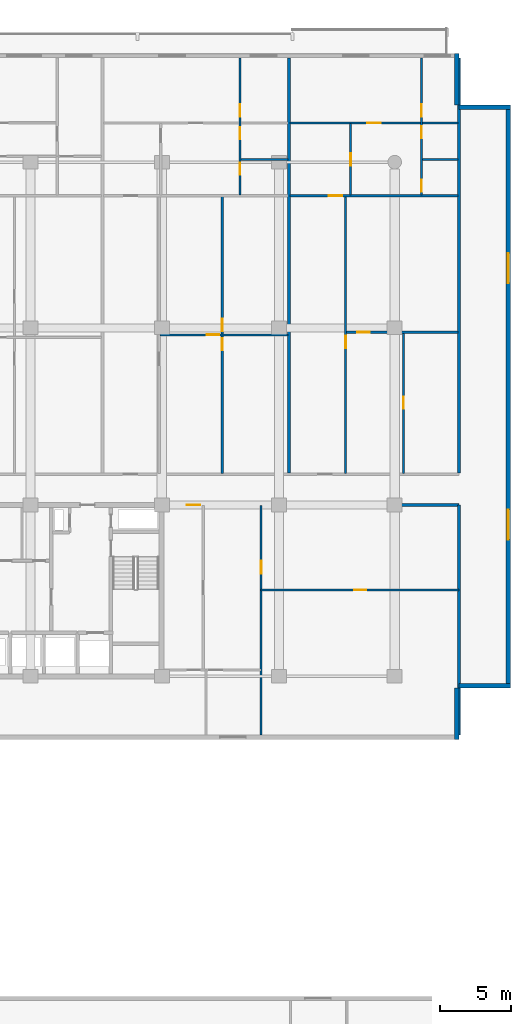
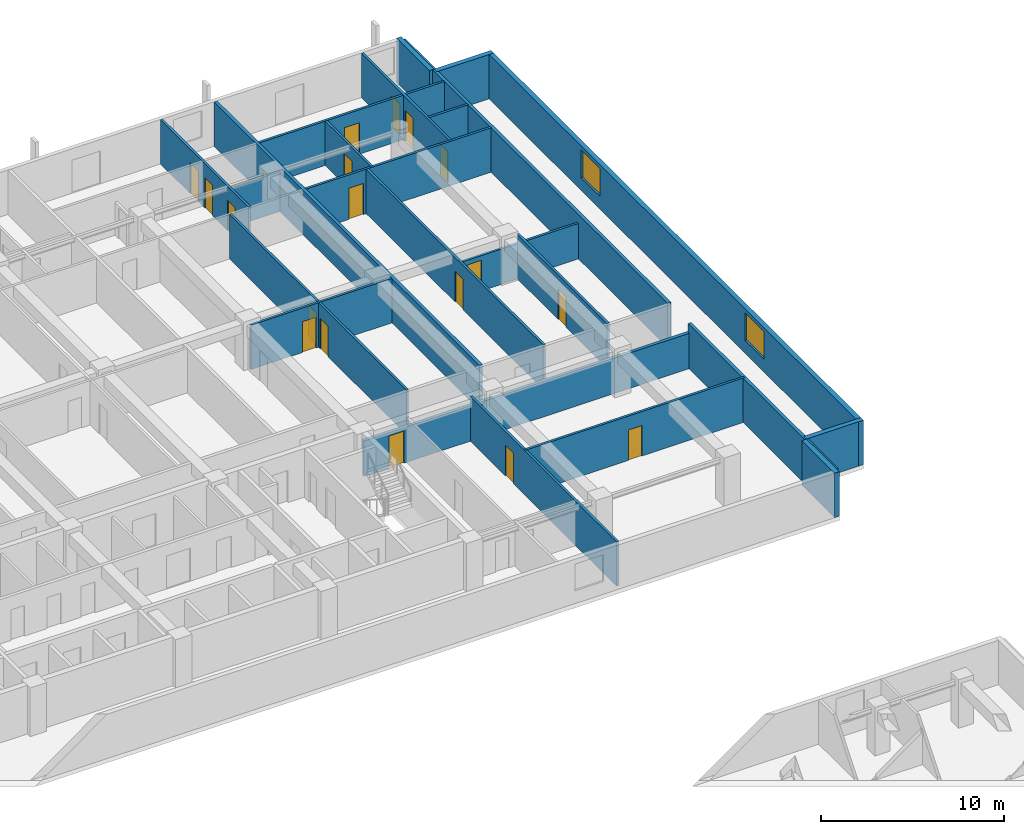
# One storey, part 17 of 23: 23 walls, 18 doors, 2 windows, 20 openings.
"""IFC4 building model written with IfcOpenShell, lengths in metres."""

from ifc_helpers import new_model, si_unit, direction, frame, frame_2d, origin, place, context, subcontext, project, spatial, rectangle, extrude, material, layer, layer_set, type_object, element, fill, save


model = new_model("IFC4")

# Units and contexts
model_context = context("Model", 3, precision=1e-05, world=origin(), true_north=direction((0.0, 1.0)))
body_context = subcontext(model_context, "Body", "Model", "MODEL_VIEW")
ifc_project = project(units=[si_unit("LENGTHUNIT", "METRE"), si_unit("AREAUNIT", "SQUARE_METRE"), si_unit("VOLUMEUNIT", "CUBIC_METRE"), si_unit("PLANEANGLEUNIT", "RADIAN"), si_unit("MASSUNIT", "GRAM", prefix="KILO")], contexts=[model_context])

# Site, building, storey
site_placement = place(None, origin())
site = spatial("IfcSite", under=ifc_project, at=site_placement, CompositionType="ELEMENT")
building_placement = place(site_placement, origin())
building = spatial("IfcBuilding", under=site, at=building_placement, Name="Korimba Cascade Residences", CompositionType="ELEMENT")
storey_placement = place(building_placement, frame((0.0, 0.0, 69.5)))
storey = spatial("IfcBuildingStorey", under=building, at=storey_placement, Name="L19", CompositionType="ELEMENT", Elevation=69.5)

# Walls
ifc_material_1 = material(Name="Precast concrete C40/50", Category="concrete")
ifc_layer_1 = layer(ifc_material_1, 0.300048828125)
ifc_layer_set_1 = layer_set([ifc_layer_1], Name="Precast concrete C40/50")
wall_type_1 = type_object("IfcWallType", Name="EW-STONE-300", PredefinedType="STANDARD", material=ifc_layer_set_1)
wall_1_placement = place(storey_placement, frame((132.75, 50.800048828125, 0.0), z_axis=(0.0, 0.0, 1.0), x_axis=(0.0, 1.0, 0.0)))
element("IfcWall", 1, at=wall_1_placement, inside=storey, type_object=wall_type_1, Name="L19 T1 Perimeter Stone Wall E01", PredefinedType="STANDARD", context=body_context, shape_type="SweptSolid", body=[
    extrude(rectangle(XDim=3.599853515625, YDim=0.300048828125, at=frame_2d((1.7998046875, 0.0))), origin(), (0.0, 0.0, 1.0), 2.969970703125),
])
wall_2_placement = place(storey_placement, frame((132.89990234375, 54.550048828125, 0.0), z_axis=(0.0, 0.0, 1.0), x_axis=(1.0, 0.0, 0.0)))
element("IfcWall", 2, at=wall_2_placement, inside=storey, type_object=wall_type_1, Name="L19 T1 Perimeter Stone Wall E02", PredefinedType="STANDARD", context=body_context, shape_type="SweptSolid", body=[
    extrude(rectangle(XDim=3.60009765625, YDim=0.300048828125, at=frame_2d((1.800048828125, 0.0))), origin(), (0.0, 0.0, 1.0), 2.969970703125),
])

# Wall, openings, windows
wall_3_placement = place(storey_placement, frame((136.35009765625, 54.39990234375, 0.0), z_axis=(0.0, 0.0, 1.0), x_axis=(0.0, 1.0, 0.0)))
wall_3 = element("IfcWall", 3, at=wall_3_placement, inside=storey, type_object=wall_type_1, Name="L19 T1 Perimeter Stone Wall E03", PredefinedType="STANDARD", context=body_context, shape_type="SweptSolid", body=[
    extrude(rectangle(XDim=40.800048828125, YDim=0.300048828125, at=frame_2d((20.39990234375, 0.0))), origin(), (0.0, 0.0, 1.0), 2.969970703125),
])
opening_1_placement = place(wall_3_placement, frame((10.3740234375, 0.0, 0.85009765625)))
opening_1 = element("IfcOpeningElement", 4, at=opening_1_placement, cuts=wall_3, Name="Opening W-03", PredefinedType="OPENING", context=body_context, shape_type="SweptSolid", body=[
    extrude(rectangle(XDim=2.10009765625, YDim=1.85009765625, at=frame_2d((1.050048828125, 0.925048828125))), frame((0.0, 0.16015625, 0.0), z_axis=(0.0, -1.0, 0.0), x_axis=(1.0, 0.0, 0.0)), (0.0, 0.0, 1.0), 0.320068359375),
])
opening_2_placement = place(wall_3_placement, frame((28.325927734375, 0.0, 0.85009765625)))
opening_2 = element("IfcOpeningElement", 5, at=opening_2_placement, cuts=wall_3, Name="Opening W-03", PredefinedType="OPENING", context=body_context, shape_type="SweptSolid", body=[
    extrude(rectangle(XDim=2.10009765625, YDim=1.85009765625, at=frame_2d((1.050048828125, 0.925048828125))), frame((0.0, 0.16015625, 0.0), z_axis=(0.0, -1.0, 0.0), x_axis=(1.0, 0.0, 0.0)), (0.0, 0.0, 1.0), 0.320068359375),
])
ifc_material_2 = material(Name="Double-Glazed Aluminium Window", Category="aluminium")
window_type = type_object("IfcWindowType", Name="WIN-CRN-2100", PartitioningType="DOUBLE_PANEL_HORIZONTAL", PredefinedType="WINDOW", material=ifc_material_2)
window_1_placement = place(opening_1_placement, origin())
window_1 = element("IfcWindow", 6, at=window_1_placement, inside=storey, type_object=window_type, Name="L19 T1 End View Window 3.1", OverallHeight=1.85009765625, OverallWidth=2.10009765625, PartitioningType="DOUBLE_PANEL_HORIZONTAL", PredefinedType="WINDOW", context=body_context, shape_type="SweptSolid", body=[
    extrude(rectangle(XDim=2.10009765625, YDim=1.85009765625, at=frame_2d((1.050048828125, 0.925048828125))), frame((0.0, 0.030029296875, 0.0), z_axis=(0.0, -1.0, 0.0), x_axis=(1.0, 0.0, 0.0)), (0.0, 0.0, 1.0), 0.06005859375),
])
fill(opening_1, window_1)
window_2_placement = place(opening_2_placement, origin())
window_2 = element("IfcWindow", 7, at=window_2_placement, inside=storey, type_object=window_type, Name="L19 T1 End View Window 3.2", OverallHeight=1.85009765625, OverallWidth=2.10009765625, PartitioningType="DOUBLE_PANEL_HORIZONTAL", PredefinedType="WINDOW", context=body_context, shape_type="SweptSolid", body=[
    extrude(rectangle(XDim=2.10009765625, YDim=1.85009765625, at=frame_2d((1.050048828125, 0.925048828125))), frame((0.0, 0.030029296875, 0.0), z_axis=(0.0, -1.0, 0.0), x_axis=(1.0, 0.0, 0.0)), (0.0, 0.0, 1.0), 0.06005859375),
])
fill(opening_2, window_2)

# Walls
for number, where, z_axis, x_axis, name in (
    (8, (136.5, 95.050048828125, 0.0), (0.0, 0.0, 1.0), (-1.0, 0.0, 0.0), "L19 T1 Perimeter Stone Wall E04"),
    (9, (132.75, 95.199951171875, 0.0), (0.0, 0.0, 1.0), (0.0, 1.0, 0.0), "L19 T1 Perimeter Stone Wall E05"),
):
    element("IfcWall", number, at=place(storey_placement, frame(where, z_axis=z_axis, x_axis=x_axis)), inside=storey, type_object=wall_type_1, Name=name, PredefinedType="STANDARD", context=body_context, shape_type="SweptSolid", body=[
        extrude(rectangle(XDim=3.60009765625, YDim=0.300048828125, at=frame_2d((1.800048828125, 0.0))), origin(), (0.0, 0.0, 1.0), 2.969970703125),
    ])
ifc_layer_2 = layer(ifc_material_1, 0.199951171875)
ifc_layer_set_2 = layer_set([ifc_layer_2], Name="Precast concrete C40/50")
wall_type_2 = type_object("IfcWallType", Name="WAL-IT-200", PredefinedType="PARTITIONING", material=ifc_layer_set_2)
wall_4_placement = place(storey_placement, frame((132.89990234375, 51.10009765625, 0.0), z_axis=(0.0, 0.0, 1.0), x_axis=(0.0, 1.0, 0.0)))
element("IfcWall", 10, at=wall_4_placement, inside=storey, type_object=wall_type_2, Name="L19 Partition Wall WAL-L19-T1-FE-WR", PredefinedType="PARTITIONING", context=body_context, shape_type="SweptSolid", body=[
    extrude(rectangle(XDim=16.099853515625, YDim=0.199951171875, at=frame_2d((8.0498046875, 0.0))), origin(), (0.0, 0.0, 1.0), 2.969970703125),
])

# Wall, opening, door
wall_5_placement = place(storey_placement, frame((112.25, 67.199951171875, 0.0), z_axis=(0.0, 0.0, 1.0), x_axis=(1.0, 0.0, 0.0)))
wall_5 = element("IfcWall", 11, at=wall_5_placement, inside=storey, type_object=wall_type_2, Name="L19 Partition Wall WAL-L19-T1-FE-N", PredefinedType="PARTITIONING", context=body_context, shape_type="SweptSolid", body=[
    extrude(rectangle(XDim=20.64990234375, YDim=0.199951171875, at=frame_2d((10.324951171875, 0.0))), origin(), (0.0, 0.0, 1.0), 2.3701171875),
])
opening_3_placement = place(wall_5_placement, frame((1.580078125, 0.0, 0.0)))
opening_3 = element("IfcOpeningElement", 12, at=opening_3_placement, cuts=wall_5, Name="Opening D-UN1", PredefinedType="OPENING", context=body_context, shape_type="SweptSolid", body=[
    extrude(rectangle(XDim=0.949951171875, YDim=2.14990234375, at=frame_2d((0.47509765625, 1.074951171875))), frame((0.0, 0.10986328125, 0.0), z_axis=(0.0, -1.0, 0.0), x_axis=(1.0, 0.0, 0.0)), (0.0, 0.0, 1.0), 0.219970703125),
])
ifc_material_3 = material(Name="Fire-Rated Hardwood Apartment Entrance Door", Category="wood")
door_type_1 = type_object("IfcDoorType", Name="DR-FD60-950", OperationType="NOTDEFINED", PredefinedType="DOOR", material=ifc_material_3)
door_1_placement = place(opening_3_placement, origin())
door_1 = element("IfcDoor", 13, at=door_1_placement, inside=storey, type_object=door_type_1, Name="L19-T1-FE Entrance Door", OperationType="SINGLE_SWING_LEFT", OverallHeight=2.14990234375, OverallWidth=0.949951171875, PredefinedType="DOOR", context=body_context, shape_type="SweptSolid", body=[
    extrude(rectangle(XDim=0.949951171875, YDim=2.14990234375, at=frame_2d((0.47509765625, 1.074951171875))), frame((0.0, 0.02490234375, 0.0), z_axis=(0.0, -1.0, 0.0), x_axis=(1.0, 0.0, 0.0)), (0.0, 0.0, 1.0), 0.050048828125),
])
fill(opening_3, door_1)

# Walls
for number, where, z_axis, x_axis, name in (
    (14, (132.89990234375, 69.429931640625, 0.0), (0.0, 0.0, 1.0), (0.0, 1.0, 0.0), "L19 Partition Wall WAL-L19-T1-BNDWR"),
    (15, (120.99755859375, 69.429931640625, 0.0), (0.0, 0.0, 1.0), (0.0, 1.0, 0.0), "L19 Partition Wall WAL-L19-T1-DEM-4"),
):
    element("IfcWall", number, at=place(storey_placement, frame(where, z_axis=z_axis, x_axis=x_axis)), inside=storey, type_object=wall_type_2, Name=name, PredefinedType="PARTITIONING", context=body_context, shape_type="SweptSolid", body=[
        extrude(rectangle(XDim=29.070068359375, YDim=0.199951171875, at=frame_2d((14.53515625, 0.0))), origin(), (0.0, 0.0, 1.0), 2.969970703125),
    ])

# Wall, opening, door
ifc_material_4 = material(Name="Insulated Acoustic Stud Partition", Category="gypsum")
ifc_layer_3 = layer(ifc_material_4, 0.14990234375)
ifc_layer_set_3 = layer_set([ifc_layer_3], Name="Insulated Acoustic Stud Partition")
wall_type_3 = type_object("IfcWallType", Name="WAL-PART-150", PredefinedType="PARTITIONING", material=ifc_layer_set_3)
wall_6_placement = place(storey_placement, frame((119.050048828125, 61.25, 0.0), z_axis=(0.0, 0.0, 1.0), x_axis=(1.0, 0.0, 0.0)))
wall_6 = element("IfcWall", 16, at=wall_6_placement, inside=storey, type_object=wall_type_3, Name="L19 Partition Wall WAL-L19-T1-FE-STH", PredefinedType="PARTITIONING", context=body_context, shape_type="SweptSolid", body=[
    extrude(rectangle(XDim=13.849853515625, YDim=0.14990234375, at=frame_2d((6.9248046875, 0.0))), origin(), (0.0, 0.0, 1.0), 2.969970703125),
])
opening_4_placement = place(wall_6_placement, frame((6.5048828125, 0.0, 0.0)))
opening_4 = element("IfcOpeningElement", 17, at=opening_4_placement, cuts=wall_6, Name="Opening D-BT1", PredefinedType="OPENING", context=body_context, shape_type="SweptSolid", body=[
    extrude(rectangle(XDim=0.840087890625, YDim=2.0400390625, at=frame_2d((0.419921875, 1.02001953125))), frame((0.0, 0.0849609375, 0.0), z_axis=(0.0, -1.0, 0.0), x_axis=(1.0, 0.0, 0.0)), (0.0, 0.0, 1.0), 0.169921875),
])
ifc_material_5 = material(Name="Moisture-Resistant Bathroom Timber Door", Category="wood")
door_type_2 = type_object("IfcDoorType", Name="DR-INT-850", OperationType="NOTDEFINED", PredefinedType="DOOR", material=ifc_material_5)
door_2_placement = place(opening_4_placement, origin())
door_2 = element("IfcDoor", 18, at=door_2_placement, inside=storey, type_object=door_type_2, Name="L19-T1-FE Dressing Store Door", OperationType="SINGLE_SWING_RIGHT", OverallHeight=2.0400390625, OverallWidth=0.840087890625, PredefinedType="DOOR", context=body_context, shape_type="SweptSolid", body=[
    extrude(rectangle(XDim=0.840087890625, YDim=2.0400390625, at=frame_2d((0.419921875, 1.02001953125))), frame((0.0, 0.02490234375, 0.0), z_axis=(0.0, -1.0, 0.0), x_axis=(1.0, 0.0, 0.0)), (0.0, 0.0, 1.0), 0.050048828125),
])
fill(opening_4, door_2)

wall_7_placement = place(storey_placement, frame((119.050048828125, 51.10009765625, 0.0), z_axis=(0.0, 0.0, 1.0), x_axis=(0.0, 1.0, 0.0)))
wall_7 = element("IfcWall", 19, at=wall_7_placement, inside=storey, type_object=wall_type_3, Name="L19 Partition Wall WAL-L19-T1-FE-STV", PredefinedType="PARTITIONING", context=body_context, shape_type="SweptSolid", body=[
    extrude(rectangle(XDim=16.0498046875, YDim=0.14990234375, at=frame_2d((8.02490234375, 0.0))), origin(), (0.0, 0.0, 1.0), 2.969970703125),
])
opening_5_placement = place(wall_7_placement, frame((11.300048828125, 0.0, 0.0)))
opening_5 = element("IfcOpeningElement", 20, at=opening_5_placement, cuts=wall_7, Name="Opening D-IN2", PredefinedType="OPENING", context=body_context, shape_type="SweptSolid", body=[
    extrude(rectangle(XDim=0.8798828125, YDim=2.06005859375, at=frame_2d((0.43994140625, 1.030029296875))), frame((0.0, 0.0849609375, 0.0), z_axis=(0.0, -1.0, 0.0), x_axis=(1.0, 0.0, 0.0)), (0.0, 0.0, 1.0), 0.169921875),
])
ifc_material_6 = material(Name="Acoustic Timber Bedroom Door", Category="wood")
door_type_3 = type_object("IfcDoorType", Name="DR-INT-880", OperationType="NOTDEFINED", PredefinedType="DOOR", material=ifc_material_6)
door_3_placement = place(opening_5_placement, origin())
door_3 = element("IfcDoor", 21, at=door_3_placement, inside=storey, type_object=door_type_3, Name="L19-T1-FE Study Door", OperationType="SINGLE_SWING_LEFT", OverallHeight=2.06005859375, OverallWidth=0.8798828125, PredefinedType="DOOR", context=body_context, shape_type="SweptSolid", body=[
    extrude(rectangle(XDim=0.8798828125, YDim=2.06005859375, at=frame_2d((0.43994140625, 1.030029296875))), frame((0.0, 0.02490234375, 0.0), z_axis=(0.0, -1.0, 0.0), x_axis=(1.0, 0.0, 0.0)), (0.0, 0.0, 1.0), 0.050048828125),
])
fill(opening_5, door_3)

# Wall, openings, doors
wall_8_placement = place(storey_placement, frame((116.328125, 69.409912109375, 0.0), z_axis=(0.0, 0.0, 1.0), x_axis=(0.0, 1.0, 0.0)))
wall_8 = element("IfcWall", 22, at=wall_8_placement, inside=storey, type_object=wall_type_3, Name="L19 Partition Wall WAL-L19-T1-U04-FMV", PredefinedType="PARTITIONING", context=body_context, shape_type="SweptSolid", body=[
    extrude(rectangle(XDim=19.400146484375, YDim=0.14990234375, at=frame_2d((9.7001953125, 0.0))), origin(), (0.0, 0.0, 1.0), 2.969970703125),
])
opening_6_placement = place(wall_8_placement, frame((8.610107421875, 0.0, 0.0)))
opening_6 = element("IfcOpeningElement", 23, at=opening_6_placement, cuts=wall_8, Name="Opening D-BT1", PredefinedType="OPENING", context=body_context, shape_type="SweptSolid", body=[
    extrude(rectangle(XDim=0.840087890625, YDim=2.0400390625, at=frame_2d((0.419921875, 1.02001953125))), frame((0.0, 0.0849609375, 0.0), z_axis=(0.0, -1.0, 0.0), x_axis=(1.0, 0.0, 0.0)), (0.0, 0.0, 1.0), 0.169921875),
])
opening_7_placement = place(wall_8_placement, frame((9.949951171875, 0.0, 0.0)))
opening_7 = element("IfcOpeningElement", 24, at=opening_7_placement, cuts=wall_8, Name="Opening D-IN2", PredefinedType="OPENING", context=body_context, shape_type="SweptSolid", body=[
    extrude(rectangle(XDim=0.8798828125, YDim=2.06005859375, at=frame_2d((0.43994140625, 1.030029296875))), frame((0.0, 0.0849609375, 0.0), z_axis=(0.0, -1.0, 0.0), x_axis=(1.0, 0.0, 0.0)), (0.0, 0.0, 1.0), 0.169921875),
])
door_4_placement = place(opening_6_placement, origin())
door_4 = element("IfcDoor", 25, at=door_4_placement, inside=storey, type_object=door_type_2, Name="L19-T1-U04 Wardrobe Door", OperationType="SINGLE_SWING_LEFT", OverallHeight=2.0400390625, OverallWidth=0.840087890625, PredefinedType="DOOR", context=body_context, shape_type="SweptSolid", body=[
    extrude(rectangle(XDim=0.840087890625, YDim=2.0400390625, at=frame_2d((0.419921875, 1.02001953125))), frame((0.0, 0.02490234375, 0.0), z_axis=(0.0, -1.0, 0.0), x_axis=(1.0, 0.0, 0.0)), (0.0, 0.0, 1.0), 0.050048828125),
])
fill(opening_6, door_4)
door_5_placement = place(opening_7_placement, origin())
door_5 = element("IfcDoor", 26, at=door_5_placement, inside=storey, type_object=door_type_3, Name="L19-T1-U04 Music Lounge Door", OperationType="SINGLE_SWING_RIGHT", OverallHeight=2.06005859375, OverallWidth=0.8798828125, PredefinedType="DOOR", context=body_context, shape_type="SweptSolid", body=[
    extrude(rectangle(XDim=0.8798828125, YDim=2.06005859375, at=frame_2d((0.43994140625, 1.030029296875))), frame((0.0, 0.02490234375, 0.0), z_axis=(0.0, -1.0, 0.0), x_axis=(1.0, 0.0, 0.0)), (0.0, 0.0, 1.0), 0.050048828125),
])
fill(opening_7, door_5)

# Wall, opening, door
wall_9_placement = place(storey_placement, frame((111.978759765625, 79.110107421875, 0.0), z_axis=(0.0, 0.0, 1.0), x_axis=(1.0, 0.0, 0.0)))
wall_9 = element("IfcWall", 27, at=wall_9_placement, inside=storey, type_object=wall_type_3, Name="L19 Partition Wall WAL-L19-T1-U04-FMH", PredefinedType="PARTITIONING", context=body_context, shape_type="SweptSolid", body=[
    extrude(rectangle(XDim=8.938720703125, YDim=0.14990234375, at=frame_2d((4.46923828125, 0.0))), origin(), (0.0, 0.0, 1.0), 2.969970703125),
])
opening_8_placement = place(wall_9_placement, frame((3.24951171875, 0.0, 0.0)))
opening_8 = element("IfcOpeningElement", 28, at=opening_8_placement, cuts=wall_9, Name="Opening D-IN2", PredefinedType="OPENING", context=body_context, shape_type="SweptSolid", body=[
    extrude(rectangle(XDim=0.8798828125, YDim=2.06005859375, at=frame_2d((0.43994140625, 1.030029296875))), frame((0.0, 0.0849609375, 0.0), z_axis=(0.0, -1.0, 0.0), x_axis=(1.0, 0.0, 0.0)), (0.0, 0.0, 1.0), 0.169921875),
])
door_6_placement = place(opening_8_placement, origin())
door_6 = element("IfcDoor", 29, at=door_6_placement, inside=storey, type_object=door_type_3, Name="L19-T1-U04 Library Salon Door", OperationType="SINGLE_SWING_LEFT", OverallHeight=2.06005859375, OverallWidth=0.8798828125, PredefinedType="DOOR", context=body_context, shape_type="SweptSolid", body=[
    extrude(rectangle(XDim=0.8798828125, YDim=2.06005859375, at=frame_2d((0.43994140625, 1.030029296875))), frame((0.0, 0.02490234375, 0.0), z_axis=(0.0, -1.0, 0.0), x_axis=(1.0, 0.0, 0.0)), (0.0, 0.0, 1.0), 0.050048828125),
])
fill(opening_8, door_6)

# Wall
wall_10_placement = place(storey_placement, frame((117.637451171875, 91.389892578125, 0.0), z_axis=(0.0, 0.0, 1.0), x_axis=(1.0, 0.0, 0.0)))
element("IfcWall", 30, at=wall_10_placement, inside=storey, type_object=wall_type_3, Name="L19 Partition Wall WAL-L19-T1-U04-BLDIV", PredefinedType="PARTITIONING", context=body_context, shape_type="SweptSolid", body=[
    extrude(rectangle(XDim=3.280029296875, YDim=0.14990234375, at=frame_2d((1.64013671875, 0.0))), origin(), (0.0, 0.0, 1.0), 2.663330078125),
])

# Wall, openings, doors
wall_11_placement = place(storey_placement, frame((117.577392578125, 88.889892578125, 0.0), z_axis=(0.0, 0.0, 1.0), x_axis=(0.0, 1.0, 0.0)))
wall_11 = element("IfcWall", 31, at=wall_11_placement, inside=storey, type_object=wall_type_3, Name="L19 Partition Wall WAL-L19-T1-U04-V1", PredefinedType="PARTITIONING", context=body_context, shape_type="SweptSolid", body=[
    extrude(rectangle(XDim=9.610107421875, YDim=0.14990234375, at=frame_2d((4.80517578125, 0.0))), origin(), (0.0, 0.0, 1.0), 2.969970703125),
])
opening_9_placement = place(wall_11_placement, frame((1.430419921875, 0.0, 0.0)))
opening_9 = element("IfcOpeningElement", 32, at=opening_9_placement, cuts=wall_11, Name="Opening D-BT1", PredefinedType="OPENING", context=body_context, shape_type="SweptSolid", body=[
    extrude(rectangle(XDim=0.840087890625, YDim=2.0400390625, at=frame_2d((0.419921875, 1.02001953125))), frame((0.0, 0.0849609375, 0.0), z_axis=(0.0, -1.0, 0.0), x_axis=(1.0, 0.0, 0.0)), (0.0, 0.0, 1.0), 0.169921875),
])
opening_10_placement = place(wall_11_placement, frame((3.919921875, 0.0, 0.0)))
opening_10 = element("IfcOpeningElement", 33, at=opening_10_placement, cuts=wall_11, Name="Opening D-BT1", PredefinedType="OPENING", context=body_context, shape_type="SweptSolid", body=[
    extrude(rectangle(XDim=0.840087890625, YDim=2.0400390625, at=frame_2d((0.419921875, 1.02001953125))), frame((0.0, 0.0849609375, 0.0), z_axis=(0.0, -1.0, 0.0), x_axis=(1.0, 0.0, 0.0)), (0.0, 0.0, 1.0), 0.169921875),
])
opening_11_placement = place(wall_11_placement, frame((5.47998046875, 0.0, 0.0)))
opening_11 = element("IfcOpeningElement", 34, at=opening_11_placement, cuts=wall_11, Name="Opening D-IN2", PredefinedType="OPENING", context=body_context, shape_type="SweptSolid", body=[
    extrude(rectangle(XDim=0.8798828125, YDim=2.06005859375, at=frame_2d((0.43994140625, 1.030029296875))), frame((0.0, 0.0849609375, 0.0), z_axis=(0.0, -1.0, 0.0), x_axis=(1.0, 0.0, 0.0)), (0.0, 0.0, 1.0), 0.169921875),
])
door_7_placement = place(opening_9_placement, origin())
door_7 = element("IfcDoor", 35, at=door_7_placement, inside=storey, type_object=door_type_2, Name="L19-T1-U04 Bathroom Door", OperationType="SINGLE_SWING_RIGHT", OverallHeight=2.0400390625, OverallWidth=0.840087890625, PredefinedType="DOOR", context=body_context, shape_type="SweptSolid", body=[
    extrude(rectangle(XDim=0.840087890625, YDim=2.0400390625, at=frame_2d((0.419921875, 1.02001953125))), frame((0.0, 0.02490234375, 0.0), z_axis=(0.0, -1.0, 0.0), x_axis=(1.0, 0.0, 0.0)), (0.0, 0.0, 1.0), 0.050048828125),
])
fill(opening_9, door_7)
door_8_placement = place(opening_10_placement, origin())
door_8 = element("IfcDoor", 36, at=door_8_placement, inside=storey, type_object=door_type_2, Name="L19-T1-U04 Laundry Door", OperationType="SINGLE_SWING_LEFT", OverallHeight=2.0400390625, OverallWidth=0.840087890625, PredefinedType="DOOR", context=body_context, shape_type="SweptSolid", body=[
    extrude(rectangle(XDim=0.840087890625, YDim=2.0400390625, at=frame_2d((0.419921875, 1.02001953125))), frame((0.0, 0.02490234375, 0.0), z_axis=(0.0, -1.0, 0.0), x_axis=(1.0, 0.0, 0.0)), (0.0, 0.0, 1.0), 0.050048828125),
])
fill(opening_10, door_8)
door_9_placement = place(opening_11_placement, origin())
door_9 = element("IfcDoor", 37, at=door_9_placement, inside=storey, type_object=door_type_3, Name="L19-T1-U04 Bedroom 1 Door", OperationType="SINGLE_SWING_RIGHT", OverallHeight=2.06005859375, OverallWidth=0.8798828125, PredefinedType="DOOR", context=body_context, shape_type="SweptSolid", body=[
    extrude(rectangle(XDim=0.8798828125, YDim=2.06005859375, at=frame_2d((0.43994140625, 1.030029296875))), frame((0.0, 0.02490234375, 0.0), z_axis=(0.0, -1.0, 0.0), x_axis=(1.0, 0.0, 0.0)), (0.0, 0.0, 1.0), 0.050048828125),
])
fill(opening_11, door_9)

# Wall, opening, door
wall_12_placement = place(storey_placement, frame((129.023681640625, 69.409912109375, 0.0), z_axis=(0.0, 0.0, 1.0), x_axis=(0.0, 1.0, 0.0)))
wall_12 = element("IfcWall", 38, at=wall_12_placement, inside=storey, type_object=wall_type_3, Name="L19 Partition Wall WAL-L19-T1-U05-FMV", PredefinedType="PARTITIONING", context=body_context, shape_type="SweptSolid", body=[
    extrude(rectangle(XDim=9.880126953125, YDim=0.14990234375, at=frame_2d((4.93994140625, 0.0))), origin(), (0.0, 0.0, 1.0), 2.969970703125),
])
opening_12_placement = place(wall_12_placement, frame((4.52001953125, 0.0, 0.0)))
opening_12 = element("IfcOpeningElement", 39, at=opening_12_placement, cuts=wall_12, Name="Opening D-BT1", PredefinedType="OPENING", context=body_context, shape_type="SweptSolid", body=[
    extrude(rectangle(XDim=0.840087890625, YDim=2.0400390625, at=frame_2d((0.419921875, 1.02001953125))), frame((0.0, 0.0849609375, 0.0), z_axis=(0.0, -1.0, 0.0), x_axis=(1.0, 0.0, 0.0)), (0.0, 0.0, 1.0), 0.169921875),
])
door_10_placement = place(opening_12_placement, origin())
door_10 = element("IfcDoor", 40, at=door_10_placement, inside=storey, type_object=door_type_2, Name="L19-T1-U05 Wardrobe Door", OperationType="SINGLE_SWING_LEFT", OverallHeight=2.0400390625, OverallWidth=0.840087890625, PredefinedType="DOOR", context=body_context, shape_type="SweptSolid", body=[
    extrude(rectangle(XDim=0.840087890625, YDim=2.0400390625, at=frame_2d((0.419921875, 1.02001953125))), frame((0.0, 0.02490234375, 0.0), z_axis=(0.0, -1.0, 0.0), x_axis=(1.0, 0.0, 0.0)), (0.0, 0.0, 1.0), 0.050048828125),
])
fill(opening_12, door_10)

wall_13_placement = place(storey_placement, frame((125.027587890625, 79.2900390625, 0.0), z_axis=(0.0, 0.0, 1.0), x_axis=(1.0, 0.0, 0.0)))
wall_13 = element("IfcWall", 41, at=wall_13_placement, inside=storey, type_object=wall_type_3, Name="L19 Partition Wall WAL-L19-T1-U05-FMH", PredefinedType="PARTITIONING", context=body_context, shape_type="SweptSolid", body=[
    extrude(rectangle(XDim=7.79248046875, YDim=0.14990234375, at=frame_2d((3.896240234375, 0.0))), origin(), (0.0, 0.0, 1.0), 2.3701171875),
])
opening_13_placement = place(wall_13_placement, frame((0.75732421875, 0.0, 0.0)))
opening_13 = element("IfcOpeningElement", 42, at=opening_13_placement, cuts=wall_13, Name="Opening D-IN2", PredefinedType="OPENING", context=body_context, shape_type="SweptSolid", body=[
    extrude(rectangle(XDim=0.8798828125, YDim=2.06005859375, at=frame_2d((0.43994140625, 1.030029296875))), frame((0.0, 0.0849609375, 0.0), z_axis=(0.0, -1.0, 0.0), x_axis=(1.0, 0.0, 0.0)), (0.0, 0.0, 1.0), 0.169921875),
])
door_11_placement = place(opening_13_placement, origin())
door_11 = element("IfcDoor", 43, at=door_11_placement, inside=storey, type_object=door_type_3, Name="L19-T1-U05 Library Salon Door", OperationType="SINGLE_SWING_RIGHT", OverallHeight=2.06005859375, OverallWidth=0.8798828125, PredefinedType="DOOR", context=body_context, shape_type="SweptSolid", body=[
    extrude(rectangle(XDim=0.8798828125, YDim=2.06005859375, at=frame_2d((0.43994140625, 1.030029296875))), frame((0.0, 0.02490234375, 0.0), z_axis=(0.0, -1.0, 0.0), x_axis=(1.0, 0.0, 0.0)), (0.0, 0.0, 1.0), 0.050048828125),
])
fill(opening_13, door_11)

wall_14_placement = place(storey_placement, frame((124.967529296875, 69.409912109375, 0.0), z_axis=(0.0, 0.0, 1.0), x_axis=(0.0, 1.0, 0.0)))
wall_14 = element("IfcWall", 44, at=wall_14_placement, inside=storey, type_object=wall_type_3, Name="L19 Partition Wall WAL-L19-T1-U05-FV", PredefinedType="PARTITIONING", context=body_context, shape_type="SweptSolid", body=[
    extrude(rectangle(XDim=19.400146484375, YDim=0.14990234375, at=frame_2d((9.7001953125, 0.0))), origin(), (0.0, 0.0, 1.0), 2.969970703125),
])
opening_14_placement = place(wall_14_placement, frame((8.75, 0.0, 0.0)))
opening_14 = element("IfcOpeningElement", 45, at=opening_14_placement, cuts=wall_14, Name="Opening D-IN2", PredefinedType="OPENING", context=body_context, shape_type="SweptSolid", body=[
    extrude(rectangle(XDim=0.8798828125, YDim=2.06005859375, at=frame_2d((0.43994140625, 1.030029296875))), frame((0.0, 0.0849609375, 0.0), z_axis=(0.0, -1.0, 0.0), x_axis=(1.0, 0.0, 0.0)), (0.0, 0.0, 1.0), 0.169921875),
])
door_12_placement = place(opening_14_placement, origin())
door_12 = element("IfcDoor", 46, at=door_12_placement, inside=storey, type_object=door_type_3, Name="L19-T1-U05 Media Lounge Door", OperationType="SINGLE_SWING_LEFT", OverallHeight=2.06005859375, OverallWidth=0.8798828125, PredefinedType="DOOR", context=body_context, shape_type="SweptSolid", body=[
    extrude(rectangle(XDim=0.8798828125, YDim=2.06005859375, at=frame_2d((0.43994140625, 1.030029296875))), frame((0.0, 0.02490234375, 0.0), z_axis=(0.0, -1.0, 0.0), x_axis=(1.0, 0.0, 0.0)), (0.0, 0.0, 1.0), 0.050048828125),
])
fill(opening_14, door_12)

wall_15_placement = place(storey_placement, frame((125.3173828125, 88.889892578125, 0.0), z_axis=(0.0, 0.0, 1.0), x_axis=(0.0, 1.0, 0.0)))
wall_15 = element("IfcWall", 47, at=wall_15_placement, inside=storey, type_object=wall_type_3, Name="L19 Partition Wall WAL-L19-T1-U05-VDIN", PredefinedType="PARTITIONING", context=body_context, shape_type="SweptSolid", body=[
    extrude(rectangle(XDim=5.0, YDim=0.14990234375, at=frame_2d((2.5, 0.0))), origin(), (0.0, 0.0, 1.0), 2.969970703125),
])
opening_15_placement = place(wall_15_placement, frame((2.06005859375, 0.0, 0.0)))
opening_15 = element("IfcOpeningElement", 48, at=opening_15_placement, cuts=wall_15, Name="Opening D-IN2", PredefinedType="OPENING", context=body_context, shape_type="SweptSolid", body=[
    extrude(rectangle(XDim=0.8798828125, YDim=2.06005859375, at=frame_2d((0.43994140625, 1.030029296875))), frame((0.0, 0.0849609375, 0.0), z_axis=(0.0, -1.0, 0.0), x_axis=(1.0, 0.0, 0.0)), (0.0, 0.0, 1.0), 0.169921875),
])
door_13_placement = place(opening_15_placement, origin())
door_13 = element("IfcDoor", 49, at=door_13_placement, inside=storey, type_object=door_type_3, Name="L19-T1-U05 Dining Room Door", OperationType="SINGLE_SWING_RIGHT", OverallHeight=2.06005859375, OverallWidth=0.8798828125, PredefinedType="DOOR", context=body_context, shape_type="SweptSolid", body=[
    extrude(rectangle(XDim=0.8798828125, YDim=2.06005859375, at=frame_2d((0.43994140625, 1.030029296875))), frame((0.0, 0.02490234375, 0.0), z_axis=(0.0, -1.0, 0.0), x_axis=(1.0, 0.0, 0.0)), (0.0, 0.0, 1.0), 0.050048828125),
])
fill(opening_15, door_13)

# Wall
wall_16_placement = place(storey_placement, frame((130.340087890625, 91.389892578125, 0.0), z_axis=(0.0, 0.0, 1.0), x_axis=(1.0, 0.0, 0.0)))
element("IfcWall", 50, at=wall_16_placement, inside=storey, type_object=wall_type_3, Name="L19 Partition Wall WAL-L19-T1-U05-BLDIV", PredefinedType="PARTITIONING", context=body_context, shape_type="SweptSolid", body=[
    extrude(rectangle(XDim=2.47998046875, YDim=0.14990234375, at=frame_2d((1.239990234375, 0.0))), origin(), (0.0, 0.0, 1.0), 2.969970703125),
])

# Wall, openings, doors
wall_17_placement = place(storey_placement, frame((130.280029296875, 88.889892578125, 0.0), z_axis=(0.0, 0.0, 1.0), x_axis=(0.0, 1.0, 0.0)))
wall_17 = element("IfcWall", 51, at=wall_17_placement, inside=storey, type_object=wall_type_3, Name="L19 Partition Wall WAL-L19-T1-U05-V1", PredefinedType="PARTITIONING", context=body_context, shape_type="SweptSolid", body=[
    extrude(rectangle(XDim=9.610107421875, YDim=0.14990234375, at=frame_2d((4.80517578125, 0.0))), origin(), (0.0, 0.0, 1.0), 2.969970703125),
])
opening_16_placement = place(wall_17_placement, frame((0.239990234375, 0.0, 0.0)))
opening_16 = element("IfcOpeningElement", 52, at=opening_16_placement, cuts=wall_17, Name="Opening D-BT1", PredefinedType="OPENING", context=body_context, shape_type="SweptSolid", body=[
    extrude(rectangle(XDim=0.840087890625, YDim=2.0400390625, at=frame_2d((0.419921875, 1.02001953125))), frame((0.0, 0.0849609375, 0.0), z_axis=(0.0, -1.0, 0.0), x_axis=(1.0, 0.0, 0.0)), (0.0, 0.0, 1.0), 0.169921875),
])
opening_17_placement = place(wall_17_placement, frame((3.966552734375, 0.0, 0.0)))
opening_17 = element("IfcOpeningElement", 53, at=opening_17_placement, cuts=wall_17, Name="Opening D-BT1", PredefinedType="OPENING", context=body_context, shape_type="SweptSolid", body=[
    extrude(rectangle(XDim=0.840087890625, YDim=2.0400390625, at=frame_2d((0.419921875, 1.02001953125))), frame((0.0, 0.0849609375, 0.0), z_axis=(0.0, -1.0, 0.0), x_axis=(1.0, 0.0, 0.0)), (0.0, 0.0, 1.0), 0.169921875),
])
opening_18_placement = place(wall_17_placement, frame((5.47998046875, 0.0, 0.0)))
opening_18 = element("IfcOpeningElement", 54, at=opening_18_placement, cuts=wall_17, Name="Opening D-IN2", PredefinedType="OPENING", context=body_context, shape_type="SweptSolid", body=[
    extrude(rectangle(XDim=0.8798828125, YDim=2.06005859375, at=frame_2d((0.43994140625, 1.030029296875))), frame((0.0, 0.0849609375, 0.0), z_axis=(0.0, -1.0, 0.0), x_axis=(1.0, 0.0, 0.0)), (0.0, 0.0, 1.0), 0.169921875),
])
door_14_placement = place(opening_16_placement, origin())
door_14 = element("IfcDoor", 55, at=door_14_placement, inside=storey, type_object=door_type_2, Name="L19-T1-U05 Bathroom Door", OperationType="SINGLE_SWING_LEFT", OverallHeight=2.0400390625, OverallWidth=0.840087890625, PredefinedType="DOOR", context=body_context, shape_type="SweptSolid", body=[
    extrude(rectangle(XDim=0.840087890625, YDim=2.0400390625, at=frame_2d((0.419921875, 1.02001953125))), frame((0.0, 0.02490234375, 0.0), z_axis=(0.0, -1.0, 0.0), x_axis=(1.0, 0.0, 0.0)), (0.0, 0.0, 1.0), 0.050048828125),
])
fill(opening_16, door_14)
door_15_placement = place(opening_17_placement, origin())
door_15 = element("IfcDoor", 56, at=door_15_placement, inside=storey, type_object=door_type_2, Name="L19-T1-U05 Laundry Door", OperationType="SINGLE_SWING_RIGHT", OverallHeight=2.0400390625, OverallWidth=0.840087890625, PredefinedType="DOOR", context=body_context, shape_type="SweptSolid", body=[
    extrude(rectangle(XDim=0.840087890625, YDim=2.0400390625, at=frame_2d((0.419921875, 1.02001953125))), frame((0.0, 0.02490234375, 0.0), z_axis=(0.0, -1.0, 0.0), x_axis=(1.0, 0.0, 0.0)), (0.0, 0.0, 1.0), 0.050048828125),
])
fill(opening_17, door_15)
door_16_placement = place(opening_18_placement, origin())
door_16 = element("IfcDoor", 57, at=door_16_placement, inside=storey, type_object=door_type_3, Name="L19-T1-U05 Bedroom 1 Door", OperationType="SINGLE_SWING_LEFT", OverallHeight=2.06005859375, OverallWidth=0.8798828125, PredefinedType="DOOR", context=body_context, shape_type="SweptSolid", body=[
    extrude(rectangle(XDim=0.8798828125, YDim=2.06005859375, at=frame_2d((0.43994140625, 1.030029296875))), frame((0.0, 0.02490234375, 0.0), z_axis=(0.0, -1.0, 0.0), x_axis=(1.0, 0.0, 0.0)), (0.0, 0.0, 1.0), 0.050048828125),
])
fill(opening_18, door_16)

# Wall, opening, door
wall_18_placement = place(storey_placement, frame((121.077392578125, 88.85009765625, 0.0), z_axis=(0.0, 0.0, 1.0), x_axis=(1.0, 0.0, 0.0)))
wall_18 = element("IfcWall", 58, at=wall_18_placement, inside=storey, type_object=wall_type_3, Name="L19 Partition Wall WAL-L19-T1-U05-MW", PredefinedType="PARTITIONING", context=body_context, shape_type="SweptSolid", body=[
    extrude(rectangle(XDim=11.74267578125, YDim=0.14990234375, at=frame_2d((5.871337890625, 0.0))), origin(), (0.0, 0.0, 1.0), 2.969970703125),
])
opening_19_placement = place(wall_18_placement, frame((2.719970703125, 0.0, 0.0)))
opening_19 = element("IfcOpeningElement", 59, at=opening_19_placement, cuts=wall_18, Name="Opening D-IN1", PredefinedType="OPENING", context=body_context, shape_type="SweptSolid", body=[
    extrude(rectangle(XDim=0.919921875, YDim=2.080078125, at=frame_2d((0.4599609375, 1.0400390625))), frame((0.0, 0.0849609375, 0.0), z_axis=(0.0, -1.0, 0.0), x_axis=(1.0, 0.0, 0.0)), (0.0, 0.0, 1.0), 0.169921875),
])
ifc_material_7 = material(Name="Acoustic Timber Living Door", Category="wood")
door_type_4 = type_object("IfcDoorType", Name="DR-INT-920", OperationType="NOTDEFINED", PredefinedType="DOOR", material=ifc_material_7)
door_17_placement = place(opening_19_placement, origin())
door_17 = element("IfcDoor", 60, at=door_17_placement, inside=storey, type_object=door_type_4, Name="L19-T1-U05 Kitchen Archway Door", OperationType="SINGLE_SWING_RIGHT", OverallHeight=2.080078125, OverallWidth=0.919921875, PredefinedType="DOOR", context=body_context, shape_type="SweptSolid", body=[
    extrude(rectangle(XDim=0.919921875, YDim=2.080078125, at=frame_2d((0.4599609375, 1.0400390625))), frame((0.0, 0.02490234375, 0.0), z_axis=(0.0, -1.0, 0.0), x_axis=(1.0, 0.0, 0.0)), (0.0, 0.0, 1.0), 0.050048828125),
])
fill(opening_19, door_17)

wall_19_placement = place(storey_placement, frame((121.077392578125, 93.949951171875, 0.0), z_axis=(0.0, 0.0, 1.0), x_axis=(1.0, 0.0, 0.0)))
wall_19 = element("IfcWall", 61, at=wall_19_placement, inside=storey, type_object=wall_type_3, Name="L19 Partition Wall WAL-L19-T1-U05-HZ", PredefinedType="PARTITIONING", context=body_context, shape_type="SweptSolid", body=[
    extrude(rectangle(XDim=11.74267578125, YDim=0.14990234375, at=frame_2d((5.871337890625, 0.0))), origin(), (0.0, 0.0, 1.0), 2.969970703125),
])
opening_20_placement = place(wall_19_placement, frame((5.401123046875, 0.0, 0.0)))
opening_20 = element("IfcOpeningElement", 62, at=opening_20_placement, cuts=wall_19, Name="Opening D-IN0", PredefinedType="OPENING", context=body_context, shape_type="SweptSolid", body=[
    extrude(rectangle(XDim=0.93994140625, YDim=2.10009765625, at=frame_2d((0.469970703125, 1.050048828125))), frame((0.0, 0.0849609375, 0.0), z_axis=(0.0, -1.0, 0.0), x_axis=(1.0, 0.0, 0.0)), (0.0, 0.0, 1.0), 0.169921875),
])
ifc_material_8 = material(Name="Acoustic Timber Living Archway Door", Category="wood")
door_type_5 = type_object("IfcDoorType", Name="DR-INT-950", OperationType="NOTDEFINED", PredefinedType="DOOR", material=ifc_material_8)
door_18_placement = place(opening_20_placement, origin())
door_18 = element("IfcDoor", 63, at=door_18_placement, inside=storey, type_object=door_type_5, Name="L19-T1-U05 Living Archway Door", OperationType="SINGLE_SWING_LEFT", OverallHeight=2.10009765625, OverallWidth=0.93994140625, PredefinedType="DOOR", context=body_context, shape_type="SweptSolid", body=[
    extrude(rectangle(XDim=0.93994140625, YDim=2.10009765625, at=frame_2d((0.469970703125, 1.050048828125))), frame((0.0, 0.02490234375, 0.0), z_axis=(0.0, -1.0, 0.0), x_axis=(1.0, 0.0, 0.0)), (0.0, 0.0, 1.0), 0.050048828125),
])
fill(opening_20, door_18)

save(model, "model.ifc")
